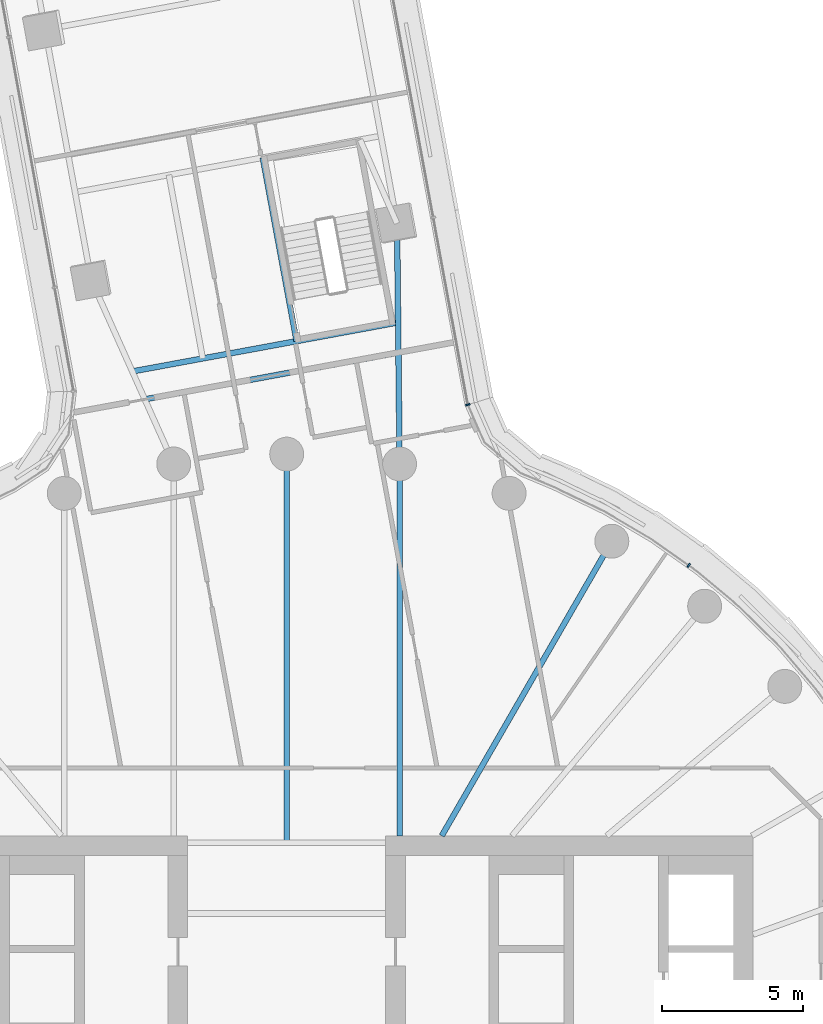
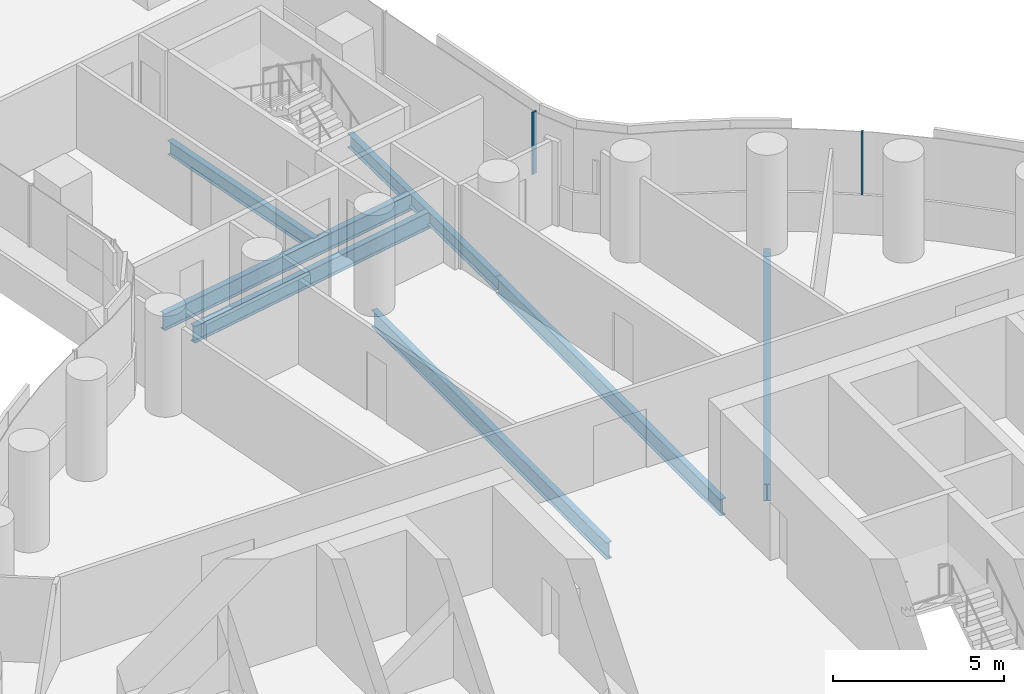
# One storey, part 16 of 33: 7 beams, 2 members, 2 elements without a shape of their own.
"""IFC4 building model written with IfcOpenShell, lengths in metres."""

from ifc_helpers import new_model, si_unit, direction, frame, origin, origin_2d, place, context, subcontext, project, spatial, rectangle, i_section, extrude, material, layer, layer_set, material_profile, profile_set, type_object, element, aggregate, save


model = new_model("IFC4")

# Units and contexts
model_context = context("Model", 3, precision=1e-05, world=origin(), true_north=direction((0.0, 1.0)))
body_context = subcontext(model_context, "Body", "Model", "MODEL_VIEW")
ifc_project = project(units=[si_unit("LENGTHUNIT", "METRE"), si_unit("AREAUNIT", "SQUARE_METRE"), si_unit("VOLUMEUNIT", "CUBIC_METRE"), si_unit("PLANEANGLEUNIT", "RADIAN"), si_unit("MASSUNIT", "GRAM", prefix="KILO")], contexts=[model_context])

# Site, building, storey
site_placement = place(None, origin())
site = spatial("IfcSite", under=ifc_project, at=site_placement, CompositionType="ELEMENT")
building_placement = place(site_placement, origin())
building = spatial("IfcBuilding", under=site, at=building_placement, Name="Tamarind Cross Interchange Tower", CompositionType="ELEMENT")
storey_placement = place(building_placement, frame((0.0, 0.0, 71.5)))
storey = spatial("IfcBuildingStorey", under=building, at=storey_placement, Name="L16", CompositionType="ELEMENT", Elevation=71.5)

# Beams
ifc_material_1 = material(Name="Steel Q355B", Category="steel")
ifc_material_profile_1 = material_profile(ifc_material_1, i_section(OverallWidth=0.198974609375, OverallDepth=0.49609375, WebThickness=0.009033203125, FlangeThickness=0.013916015625, FilletRadius=0.012939453125, at=origin_2d()), Name="HN 496x199x9x14")
ifc_profile_set_1 = profile_set([ifc_material_profile_1], Name="Steel Q355B")
beam_type_1 = type_object("IfcBeamType", Name="Composite beam HN 496x199x9x14 Q355B", PredefinedType="BEAM", material=ifc_profile_set_1)
beam_1_placement = place(storey_placement, frame((3.903564453125, 31.15966796875, -0.387939453125), z_axis=(0.010615417677, -0.999943654866, 0.0), x_axis=(0.999943654866, 0.010615417677, 0.0)))
element("IfcBeam", 1, at=beam_1_placement, inside=storey, type_object=beam_type_1, Name="Beam N-linkem", PredefinedType="BEAM", context=body_context, shape_type="SweptSolid", body=[
    extrude(i_section(OverallWidth=0.198974609375, OverallDepth=0.49609375, WebThickness=0.009033203125, FlangeThickness=0.013916015625, FilletRadius=0.012939453125, at=origin_2d()), origin(), (0.0, 0.0, 1.0), 8.509521484375),
])
beam_2_placement = place(storey_placement, frame((0.349853515625, 26.996337890625, -0.387939453125), z_axis=(-0.181368615756, 0.983415184558, 0.0), x_axis=(-0.983415184558, -0.181368615756, 0.0)))
element("IfcBeam", 2, at=beam_2_placement, inside=storey, type_object=beam_type_1, Name="Beam N-tr1", PredefinedType="BEAM", context=body_context, shape_type="SweptSolid", body=[
    extrude(i_section(OverallWidth=0.198974609375, OverallDepth=0.49609375, WebThickness=0.009033203125, FlangeThickness=0.013916015625, FilletRadius=0.012939453125, at=origin_2d()), origin(), (0.0, 0.0, 1.0), 6.599853515625),
])
ifc_material_profile_2 = material_profile(ifc_material_1, i_section(OverallWidth=0.198974609375, OverallDepth=0.595947265625, WebThickness=0.010009765625, FlangeThickness=0.014892578125, FilletRadius=0.012939453125, at=origin_2d()), Name="HN 596x199x10x15")
ifc_profile_set_2 = profile_set([ifc_material_profile_2], Name="Steel Q355B")
beam_type_2 = type_object("IfcBeamType", Name="Composite beam HN 596x199x10x15 Q355B", PredefinedType="BEAM", material=ifc_profile_set_2)
beam_3_placement = place(storey_placement, frame((11.5, 19.918701171875, -0.43798828125), z_axis=(-0.499993565836, -0.866029118519, 0.0), x_axis=(0.866029118519, -0.499993565836, 0.0)))
element("IfcBeam", 3, at=beam_3_placement, inside=storey, type_object=beam_type_2, Name="Beam HH06", PredefinedType="BEAM", context=body_context, shape_type="SweptSolid", body=[
    extrude(i_section(OverallWidth=0.198974609375, OverallDepth=0.595947265625, WebThickness=0.010009765625, FlangeThickness=0.014892578125, FilletRadius=0.012939453125, at=origin_2d()), origin(), (0.0, 0.0, 1.0), 12.030517578125),
])
beam_4_placement = place(storey_placement, frame((3.993896484375, 22.650634765625, -0.43798828125), z_axis=(0.0, -1.0, 0.0), x_axis=(1.0, 0.0, 0.0)))
element("IfcBeam", 4, at=beam_4_placement, inside=storey, type_object=beam_type_2, Name="Beam HH08", PredefinedType="BEAM", context=body_context, shape_type="SweptSolid", body=[
    extrude(i_section(OverallWidth=0.198974609375, OverallDepth=0.595947265625, WebThickness=0.010009765625, FlangeThickness=0.014892578125, FilletRadius=0.012939453125, at=origin_2d()), origin(), (0.0, 0.0, 1.0), 13.150634765625),
])
beam_5_placement = place(storey_placement, frame((0.0, 23.0, -0.43798828125), z_axis=(0.0, -1.0, 0.0), x_axis=(1.0, 0.0, 0.0)))
element("IfcBeam", 5, at=beam_5_placement, inside=storey, type_object=beam_type_2, Name="Beam HH09", PredefinedType="BEAM", context=body_context, shape_type="SweptSolid", body=[
    extrude(i_section(OverallWidth=0.198974609375, OverallDepth=0.595947265625, WebThickness=0.010009765625, FlangeThickness=0.014892578125, FilletRadius=0.012939453125, at=origin_2d()), origin(), (0.0, 0.0, 1.0), 13.75),
])
ifc_material_profile_3 = material_profile(ifc_material_1, i_section(OverallWidth=0.199951171875, OverallDepth=0.60009765625, WebThickness=0.010986328125, FlangeThickness=0.01708984375, FilletRadius=0.012939453125, at=origin_2d()), Name="HN 600x200x11x17")
ifc_profile_set_3 = profile_set([ifc_material_profile_3], Name="Steel Q355B")
beam_type_3 = type_object("IfcBeamType", Name="Composite beam HN 600x200x11x17 Q355B", PredefinedType="BEAM", material=ifc_profile_set_3)
beam_6_placement = place(storey_placement, frame((3.94091796875, 27.658447265625, -0.43994140625), z_axis=(-0.983418210935, -0.181352205392, 0.0), x_axis=(0.181352205392, -0.983418210935, 0.0)))
element("IfcBeam", 6, at=beam_6_placement, inside=storey, type_object=beam_type_3, Name="Beam N-x268", PredefinedType="BEAM", context=body_context, shape_type="SweptSolid", body=[
    extrude(i_section(OverallWidth=0.199951171875, OverallDepth=0.60009765625, WebThickness=0.010986328125, FlangeThickness=0.01708984375, FilletRadius=0.012939453125, at=origin_2d()), origin(), (0.0, 0.0, 1.0), 9.560791015625),
])
beam_7_placement = place(storey_placement, frame((3.9521484375, 26.5927734375, -0.43994140625), z_axis=(-0.983421554854, -0.181334071397, 0.0), x_axis=(0.181334071397, -0.983421554854, 0.0)))
element("IfcBeam", 7, at=beam_7_placement, inside=storey, type_object=beam_type_3, Name="Beam N-x258", PredefinedType="BEAM", context=body_context, shape_type="SweptSolid", body=[
    extrude(i_section(OverallWidth=0.199951171875, OverallDepth=0.60009765625, WebThickness=0.010986328125, FlangeThickness=0.01708984375, FilletRadius=0.012939453125, at=origin_2d()), origin(), (0.0, 0.0, 1.0), 9.122802734375),
])

# Curtain wall, member
ifc_material_2 = material(Name="Aluminium 6063-T6", Category="aluminium")
ifc_layer = layer(ifc_material_2, 0.159912109375)
ifc_layer_set = layer_set([ifc_layer], Name="Aluminium 6063-T6")
curtain_wall_type = type_object("IfcCurtainWallType", Name="Office curtain wall, 9.0 m bays", PredefinedType="NOTDEFINED", material=ifc_layer_set)
curtain_wall_1_placement = place(storey_placement, origin())
curtain_wall_1 = element("IfcCurtainWall", 8, at=curtain_wall_1_placement, inside=storey, type_object=curtain_wall_type, Name="CWS-L16-10", PredefinedType="NOTDEFINED")
ifc_material_profile_4 = material_profile(ifc_material_2, rectangle(XDim=0.06005859375, YDim=0.159912109375, at=origin_2d()), Name="Mullion CW1")
ifc_profile_set_4 = profile_set([ifc_material_profile_4], Name="Aluminium 6063-T6")
member_type = type_object("IfcMemberType", Name="Mullion CW1", PredefinedType="MULLION", material=ifc_profile_set_4)
member_1_placement = place(storey_placement, frame((14.219482421875, 19.06396484375, 1.39990234375), z_axis=(0.0, 0.0, 1.0), x_axis=(-0.816341886298, 0.577568978284, 0.0)))
member_1 = element("IfcMember", 9, at=member_1_placement, type_object=member_type, Name="CWM-L16-10-02", PredefinedType="MULLION", context=body_context, shape_type="SweptSolid", body=[
    extrude(rectangle(XDim=0.06005859375, YDim=0.159912109375, at=origin_2d()), origin(), (0.0, 0.0, 1.0), 2.210205078125),
])
aggregate(curtain_wall_1, [member_1])

curtain_wall_2_placement = place(storey_placement, origin())
curtain_wall_2 = element("IfcCurtainWall", 10, at=curtain_wall_2_placement, inside=storey, type_object=curtain_wall_type, Name="CWS-L16-11", PredefinedType="NOTDEFINED")
member_2_placement = place(storey_placement, frame((6.408203125, 24.746826171875, 1.39990234375), z_axis=(0.0, 0.0, 1.0), x_axis=(-0.293402604006, 0.955988970628, 0.0)))
member_2 = element("IfcMember", 11, at=member_2_placement, type_object=member_type, Name="CWM-L16-11-00", PredefinedType="MULLION", context=body_context, shape_type="SweptSolid", body=[
    extrude(rectangle(XDim=0.06005859375, YDim=0.159912109375, at=origin_2d()), origin(), (0.0, 0.0, 1.0), 2.210205078125),
])
aggregate(curtain_wall_2, [member_2])

save(model, "model.ifc")
